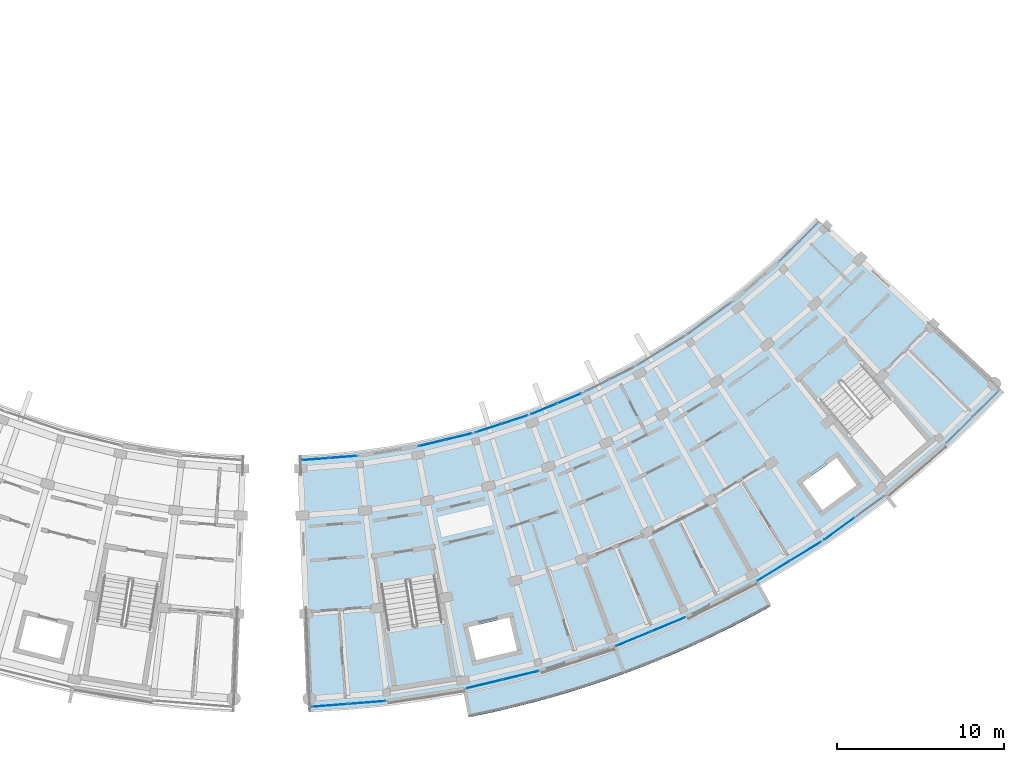
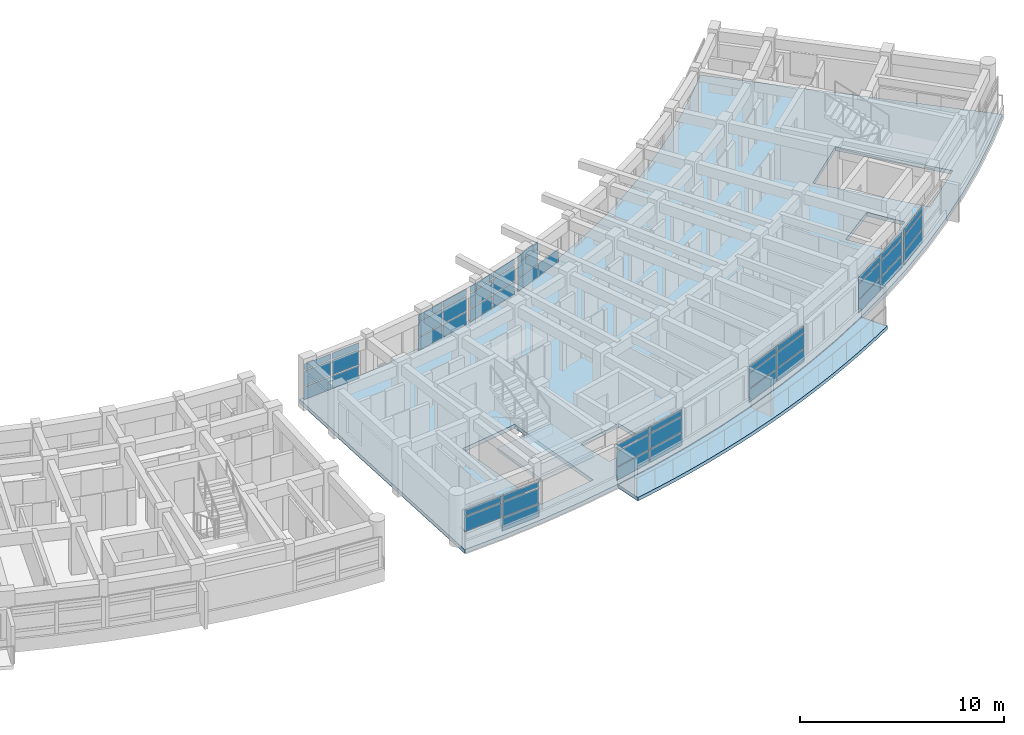
# One storey, part 26 of 55: 48 plates, 3 slabs, 10 elements without a shape of their own.
"""IFC4 building model written with IfcOpenShell, lengths in metres."""

from ifc_helpers import new_model, si_unit, direction, frame, origin, origin_2d, place, context, subcontext, project, spatial, polyline, rectangle, outline, extrude, material, layer, layer_set, type_object, element, aggregate, save


model = new_model("IFC4")

# Units and contexts
model_context = context("Model", 3, precision=1e-05, world=origin(), true_north=direction((0.0, 1.0)))
body_context = subcontext(model_context, "Body", "Model", "MODEL_VIEW")
ifc_project = project(units=[si_unit("LENGTHUNIT", "METRE"), si_unit("AREAUNIT", "SQUARE_METRE"), si_unit("VOLUMEUNIT", "CUBIC_METRE"), si_unit("PLANEANGLEUNIT", "RADIAN"), si_unit("MASSUNIT", "GRAM", prefix="KILO")], contexts=[model_context])

# Site, building, storey
site_placement = place(None, origin())
site = spatial("IfcSite", under=ifc_project, at=site_placement, CompositionType="ELEMENT")
building_placement = place(site_placement, origin())
building = spatial("IfcBuilding", under=site, at=building_placement, Name="Zimvara Arc Housing Community", CompositionType="ELEMENT")
storey_placement = place(building_placement, frame((0.0, 0.0, 14.300048828125)))
storey = spatial("IfcBuildingStorey", under=building, at=storey_placement, Name="L04", CompositionType="ELEMENT", Elevation=14.300048828125)

# Curtain wall, plates
ifc_material_1 = material(Name="Anodised Aluminium AW-6063", Category="aluminium")
curtain_wall_type_1 = type_object("IfcCurtainWallType", Name="CW-SYS-04", PredefinedType="USERDEFINED", material=ifc_material_1)
curtain_wall_1_placement = place(storey_placement, origin())
curtain_wall_1 = element("IfcCurtainWall", 1, at=curtain_wall_1_placement, inside=storey, type_object=curtain_wall_type_1, Name="cw:blkD:L04:in:b2", ObjectType="CURTAIN WALL", PredefinedType="USERDEFINED")
ifc_material_2 = material(Name="Pale-Gold Anodised Aluminium Spandrel Panel", Category="aluminium")
ifc_layer_1 = layer(ifc_material_2, 0.035888671875)
ifc_layer_set_1 = layer_set([ifc_layer_1], Name="Pale-Gold Anodised Aluminium Spandrel Panel")
plate_type_1 = type_object("IfcPlateType", Name="CWP-GLD-36", PredefinedType="CURTAIN_PANEL", material=ifc_layer_set_1)
plate_1_placement = place(storey_placement, frame((135.543701171875, 66.30419921875, 0.06494140625), z_axis=(0.0, 0.0, 1.0), x_axis=(0.972573441526, 0.232596003485, 0.0)))
plate_1 = element("IfcPlate", 2, at=plate_1_placement, type_object=plate_type_1, Name="CW04 panel 1.1", PredefinedType="CURTAIN_PANEL", context=body_context, shape_type="SweptSolid", body=[
    extrude(rectangle(XDim=1.59423828125, YDim=0.035888671875, at=origin_2d()), origin(), (0.0, 0.0, 1.0), 0.75244140625),
])
plate_2_placement = place(storey_placement, frame((135.543701171875, 66.30419921875, 0.88232421875), z_axis=(0.0, 0.0, 1.0), x_axis=(0.972573441526, 0.232596003485, 0.0)))
plate_2 = element("IfcPlate", 3, at=plate_2_placement, type_object=plate_type_1, Name="CW04 panel 1.2", PredefinedType="CURTAIN_PANEL", context=body_context, shape_type="SweptSolid", body=[
    extrude(rectangle(XDim=1.59423828125, YDim=0.035888671875, at=origin_2d()), origin(), (0.0, 0.0, 1.0), 0.885009765625),
])
plate_3_placement = place(storey_placement, frame((135.543701171875, 66.30419921875, 1.83251953125), z_axis=(0.0, 0.0, 1.0), x_axis=(0.972573441526, 0.232596003485, 0.0)))
plate_3 = element("IfcPlate", 4, at=plate_3_placement, type_object=plate_type_1, Name="CW04 panel 1.3", PredefinedType="CURTAIN_PANEL", context=body_context, shape_type="SweptSolid", body=[
    extrude(rectangle(XDim=1.59423828125, YDim=0.035888671875, at=origin_2d()), origin(), (0.0, 0.0, 1.0), 0.3525390625),
])
plate_4_placement = place(storey_placement, frame((137.1572265625, 66.690185546875, 0.06494140625), z_axis=(0.0, 0.0, 1.0), x_axis=(0.972573441526, 0.232596003485, 0.0)))
plate_4 = element("IfcPlate", 5, at=plate_4_placement, type_object=plate_type_1, Name="CW04 panel 2.1", PredefinedType="CURTAIN_PANEL", context=body_context, shape_type="SweptSolid", body=[
    extrude(rectangle(XDim=1.59423828125, YDim=0.035888671875, at=origin_2d()), origin(), (0.0, 0.0, 1.0), 0.75244140625),
])
plate_5_placement = place(storey_placement, frame((137.1572265625, 66.690185546875, 0.88232421875), z_axis=(0.0, 0.0, 1.0), x_axis=(0.972573441526, 0.232596003485, 0.0)))
plate_5 = element("IfcPlate", 6, at=plate_5_placement, type_object=plate_type_1, Name="CW04 panel 2.2", PredefinedType="CURTAIN_PANEL", context=body_context, shape_type="SweptSolid", body=[
    extrude(rectangle(XDim=1.59423828125, YDim=0.035888671875, at=origin_2d()), origin(), (0.0, 0.0, 1.0), 0.885009765625),
])
plate_6_placement = place(storey_placement, frame((137.1572265625, 66.690185546875, 1.83251953125), z_axis=(0.0, 0.0, 1.0), x_axis=(0.972573441526, 0.232596003485, 0.0)))
plate_6 = element("IfcPlate", 7, at=plate_6_placement, type_object=plate_type_1, Name="CW04 panel 2.3", PredefinedType="CURTAIN_PANEL", context=body_context, shape_type="SweptSolid", body=[
    extrude(rectangle(XDim=1.59423828125, YDim=0.035888671875, at=origin_2d()), origin(), (0.0, 0.0, 1.0), 0.3525390625),
])
aggregate(curtain_wall_1, [plate_1, plate_2, plate_3, plate_4, plate_5, plate_6])

ifc_material_3 = material(Name="Anodised Aluminium AW-6063", Category="aluminium")
curtain_wall_type_2 = type_object("IfcCurtainWallType", Name="CW-SYS-01", PredefinedType="USERDEFINED", material=ifc_material_3)
curtain_wall_2_placement = place(storey_placement, origin())
curtain_wall_2 = element("IfcCurtainWall", 8, at=curtain_wall_2_placement, inside=storey, type_object=curtain_wall_type_2, Name="cw:blkD:L04:out:b0", ObjectType="CURTAIN WALL", PredefinedType="USERDEFINED")
ifc_material_4 = material(Name="Solar Control Low-E Double Glazing", Category="glass")
ifc_layer_2 = layer(ifc_material_4, 0.02392578125)
ifc_layer_set_2 = layer_set([ifc_layer_2], Name="Solar Control Low-E Double Glazing")
plate_type_2 = type_object("IfcPlateType", Name="CWP-GLZ-24", PredefinedType="CURTAIN_PANEL", material=ifc_layer_set_2)
plate_7_placement = place(storey_placement, frame((129.4677734375, 50.61767578125, 0.88232421875), z_axis=(0.0, 0.0, 1.0), x_axis=(0.996985387849, 0.077589538059, 0.0)))
plate_7 = element("IfcPlate", 9, at=plate_7_placement, type_object=plate_type_2, Name="CW01 panel 1.2", PredefinedType="CURTAIN_PANEL", context=body_context, shape_type="SweptSolid", body=[
    extrude(rectangle(XDim=2.173828125, YDim=0.02392578125, at=origin_2d()), origin(), (0.0, 0.0, 1.0), 0.885009765625),
])
plate_8_placement = place(storey_placement, frame((129.4677734375, 50.61767578125, 1.83251953125), z_axis=(0.0, 0.0, 1.0), x_axis=(0.996985387849, 0.077589538059, 0.0)))
plate_8 = element("IfcPlate", 10, at=plate_8_placement, type_object=plate_type_2, Name="CW01 panel 1.3", PredefinedType="CURTAIN_PANEL", context=body_context, shape_type="SweptSolid", body=[
    extrude(rectangle(XDim=2.173828125, YDim=0.02392578125, at=origin_2d()), origin(), (0.0, 0.0, 1.0), 0.3525390625),
])
plate_9_placement = place(storey_placement, frame((131.69970703125, 50.79150390625, 0.06494140625), z_axis=(0.0, 0.0, 1.0), x_axis=(0.996985387849, 0.077589538059, 0.0)))
plate_9 = element("IfcPlate", 11, at=plate_9_placement, type_object=plate_type_2, Name="CW01 panel 2.1", PredefinedType="CURTAIN_PANEL", context=body_context, shape_type="SweptSolid", body=[
    extrude(rectangle(XDim=2.173828125, YDim=0.02392578125, at=origin_2d()), origin(), (0.0, 0.0, 1.0), 0.75244140625),
])
plate_10_placement = place(storey_placement, frame((131.69970703125, 50.79150390625, 0.88232421875), z_axis=(0.0, 0.0, 1.0), x_axis=(0.996985387849, 0.077589538059, 0.0)))
plate_10 = element("IfcPlate", 12, at=plate_10_placement, type_object=plate_type_2, Name="CW01 panel 2.2", PredefinedType="CURTAIN_PANEL", context=body_context, shape_type="SweptSolid", body=[
    extrude(rectangle(XDim=2.173828125, YDim=0.02392578125, at=origin_2d()), origin(), (0.0, 0.0, 1.0), 0.885009765625),
])
plate_11_placement = place(storey_placement, frame((131.69970703125, 50.79150390625, 1.83251953125), z_axis=(0.0, 0.0, 1.0), x_axis=(0.996985387849, 0.077589538059, 0.0)))
plate_11 = element("IfcPlate", 13, at=plate_11_placement, type_object=plate_type_2, Name="CW01 panel 2.3", PredefinedType="CURTAIN_PANEL", context=body_context, shape_type="SweptSolid", body=[
    extrude(rectangle(XDim=2.173828125, YDim=0.02392578125, at=origin_2d()), origin(), (0.0, 0.0, 1.0), 0.3525390625),
])
aggregate(curtain_wall_2, [plate_7, plate_8, plate_9, plate_10, plate_11])

ifc_material_5 = material(Name="Anodised Aluminium AW-6063", Category="aluminium")
curtain_wall_type_3 = type_object("IfcCurtainWallType", Name="CW-SYS-05", PredefinedType="USERDEFINED", material=ifc_material_5)
curtain_wall_3_placement = place(storey_placement, origin())
curtain_wall_3 = element("IfcCurtainWall", 14, at=curtain_wall_3_placement, inside=storey, type_object=curtain_wall_type_3, Name="cw:blkD:L04:in:b3", ObjectType="CURTAIN WALL", PredefinedType="USERDEFINED")
plate_12_placement = place(storey_placement, frame((138.931396484375, 67.18896484375, 0.06494140625), z_axis=(0.0, 0.0, 1.0), x_axis=(0.951326373008, 0.308185223559, 0.0)))
plate_12 = element("IfcPlate", 15, at=plate_12_placement, type_object=plate_type_2, Name="CW05 panel 1.1", PredefinedType="CURTAIN_PANEL", context=body_context, shape_type="SweptSolid", body=[
    extrude(rectangle(XDim=1.59423828125, YDim=0.02392578125, at=origin_2d()), origin(), (0.0, 0.0, 1.0), 0.75244140625),
])
plate_13_placement = place(storey_placement, frame((138.931396484375, 67.18896484375, 0.88232421875), z_axis=(0.0, 0.0, 1.0), x_axis=(0.951326373008, 0.308185223559, 0.0)))
plate_13 = element("IfcPlate", 16, at=plate_13_placement, type_object=plate_type_2, Name="CW05 panel 1.2", PredefinedType="CURTAIN_PANEL", context=body_context, shape_type="SweptSolid", body=[
    extrude(rectangle(XDim=1.59423828125, YDim=0.02392578125, at=origin_2d()), origin(), (0.0, 0.0, 1.0), 0.885009765625),
])
plate_14_placement = place(storey_placement, frame((138.931396484375, 67.18896484375, 1.83251953125), z_axis=(0.0, 0.0, 1.0), x_axis=(0.951326373008, 0.308185223559, 0.0)))
plate_14 = element("IfcPlate", 17, at=plate_14_placement, type_object=plate_type_2, Name="CW05 panel 1.3", PredefinedType="CURTAIN_PANEL", context=body_context, shape_type="SweptSolid", body=[
    extrude(rectangle(XDim=1.59423828125, YDim=0.02392578125, at=origin_2d()), origin(), (0.0, 0.0, 1.0), 0.3525390625),
])
plate_15_placement = place(storey_placement, frame((140.510009765625, 67.7001953125, 0.06494140625), z_axis=(0.0, 0.0, 1.0), x_axis=(0.951326373008, 0.308185223559, 0.0)))
plate_15 = element("IfcPlate", 18, at=plate_15_placement, type_object=plate_type_2, Name="CW05 panel 2.1", PredefinedType="CURTAIN_PANEL", context=body_context, shape_type="SweptSolid", body=[
    extrude(rectangle(XDim=1.59423828125, YDim=0.02392578125, at=origin_2d()), origin(), (0.0, 0.0, 1.0), 0.75244140625),
])
plate_16_placement = place(storey_placement, frame((140.510009765625, 67.7001953125, 0.88232421875), z_axis=(0.0, 0.0, 1.0), x_axis=(0.951326373008, 0.308185223559, 0.0)))
plate_16 = element("IfcPlate", 19, at=plate_16_placement, type_object=plate_type_2, Name="CW05 panel 2.2", PredefinedType="CURTAIN_PANEL", context=body_context, shape_type="SweptSolid", body=[
    extrude(rectangle(XDim=1.59423828125, YDim=0.02392578125, at=origin_2d()), origin(), (0.0, 0.0, 1.0), 0.885009765625),
])
plate_17_placement = place(storey_placement, frame((140.510009765625, 67.7001953125, 1.83251953125), z_axis=(0.0, 0.0, 1.0), x_axis=(0.951326373008, 0.308185223559, 0.0)))
plate_17 = element("IfcPlate", 20, at=plate_17_placement, type_object=plate_type_2, Name="CW05 panel 2.3", PredefinedType="CURTAIN_PANEL", context=body_context, shape_type="SweptSolid", body=[
    extrude(rectangle(XDim=1.59423828125, YDim=0.02392578125, at=origin_2d()), origin(), (0.0, 0.0, 1.0), 0.3525390625),
])
aggregate(curtain_wall_3, [plate_12, plate_13, plate_14, plate_15, plate_16, plate_17])

curtain_wall_4_placement = place(storey_placement, origin())
curtain_wall_4 = element("IfcCurtainWall", 21, at=curtain_wall_4_placement, inside=storey, type_object=curtain_wall_type_2, Name="cw:blkD:L04:out:b6", ObjectType="CURTAIN WALL", PredefinedType="USERDEFINED")
plate_18_placement = place(storey_placement, frame((155.98291015625, 58.658203125, 0.06494140625), z_axis=(0.0, 0.0, 1.0), x_axis=(0.853095835272, 0.521754248513, 0.0)))
plate_18 = element("IfcPlate", 22, at=plate_18_placement, type_object=plate_type_2, Name="CW01 panel 1.1", PredefinedType="CURTAIN_PANEL", context=body_context, shape_type="SweptSolid", body=[
    extrude(rectangle(XDim=2.173828125, YDim=0.02392578125, at=origin_2d()), origin(), (0.0, 0.0, 1.0), 0.75244140625),
])
plate_19_placement = place(storey_placement, frame((155.98291015625, 58.658203125, 0.88232421875), z_axis=(0.0, 0.0, 1.0), x_axis=(0.853095835272, 0.521754248513, 0.0)))
plate_19 = element("IfcPlate", 23, at=plate_19_placement, type_object=plate_type_2, Name="CW01 panel 1.2", PredefinedType="CURTAIN_PANEL", context=body_context, shape_type="SweptSolid", body=[
    extrude(rectangle(XDim=2.173828125, YDim=0.02392578125, at=origin_2d()), origin(), (0.0, 0.0, 1.0), 0.885009765625),
])
plate_20_placement = place(storey_placement, frame((155.98291015625, 58.658203125, 1.83251953125), z_axis=(0.0, 0.0, 1.0), x_axis=(0.853095835272, 0.521754248513, 0.0)))
plate_20 = element("IfcPlate", 24, at=plate_20_placement, type_object=plate_type_2, Name="CW01 panel 1.3", PredefinedType="CURTAIN_PANEL", context=body_context, shape_type="SweptSolid", body=[
    extrude(rectangle(XDim=2.173828125, YDim=0.02392578125, at=origin_2d()), origin(), (0.0, 0.0, 1.0), 0.3525390625),
])
plate_21_placement = place(storey_placement, frame((157.892822265625, 59.826171875, 0.06494140625), z_axis=(0.0, 0.0, 1.0), x_axis=(0.853095835272, 0.521754248513, 0.0)))
plate_21 = element("IfcPlate", 25, at=plate_21_placement, type_object=plate_type_2, Name="CW01 panel 2.1", PredefinedType="CURTAIN_PANEL", context=body_context, shape_type="SweptSolid", body=[
    extrude(rectangle(XDim=2.173828125, YDim=0.02392578125, at=origin_2d()), origin(), (0.0, 0.0, 1.0), 0.75244140625),
])
plate_22_placement = place(storey_placement, frame((157.892822265625, 59.826171875, 0.88232421875), z_axis=(0.0, 0.0, 1.0), x_axis=(0.853095835272, 0.521754248513, 0.0)))
plate_22 = element("IfcPlate", 26, at=plate_22_placement, type_object=plate_type_2, Name="CW01 panel 2.2", PredefinedType="CURTAIN_PANEL", context=body_context, shape_type="SweptSolid", body=[
    extrude(rectangle(XDim=2.173828125, YDim=0.02392578125, at=origin_2d()), origin(), (0.0, 0.0, 1.0), 0.885009765625),
])
plate_23_placement = place(storey_placement, frame((157.892822265625, 59.826171875, 1.83251953125), z_axis=(0.0, 0.0, 1.0), x_axis=(0.853095835272, 0.521754248513, 0.0)))
plate_23 = element("IfcPlate", 27, at=plate_23_placement, type_object=plate_type_2, Name="CW01 panel 2.3", PredefinedType="CURTAIN_PANEL", context=body_context, shape_type="SweptSolid", body=[
    extrude(rectangle(XDim=2.173828125, YDim=0.02392578125, at=origin_2d()), origin(), (0.0, 0.0, 1.0), 0.3525390625),
])
aggregate(curtain_wall_4, [plate_18, plate_19, plate_20, plate_21, plate_22, plate_23])

ifc_material_6 = material(Name="Anodised Aluminium AW-6063", Category="aluminium")
curtain_wall_type_4 = type_object("IfcCurtainWallType", Name="CW-SYS-02", PredefinedType="USERDEFINED", material=ifc_material_6)
curtain_wall_5_placement = place(storey_placement, origin())
curtain_wall_5 = element("IfcCurtainWall", 28, at=curtain_wall_5_placement, inside=storey, type_object=curtain_wall_type_4, Name="cw:blkD:L04:in:b0", ObjectType="CURTAIN WALL", PredefinedType="USERDEFINED")
ifc_material_7 = material(Name="Solar Control Low-E Double Glazing", Category="glass")
ifc_layer_3 = layer(ifc_material_7, 0.028076171875)
ifc_layer_set_3 = layer_set([ifc_layer_3], Name="Solar Control Low-E Double Glazing")
plate_type_3 = type_object("IfcPlateType", Name="CWP-GLZ-28", PredefinedType="CURTAIN_PANEL", material=ifc_layer_set_3)
plate_24_placement = place(storey_placement, frame((128.6123046875, 65.344482421875, 0.06494140625), z_axis=(0.0, 0.0, 1.0), x_axis=(0.996985344149, 0.077590099579, 0.0)))
plate_24 = element("IfcPlate", 29, at=plate_24_placement, type_object=plate_type_3, Name="CW02 panel 1.1", PredefinedType="CURTAIN_PANEL", context=body_context, shape_type="SweptSolid", body=[
    extrude(rectangle(XDim=1.59423828125, YDim=0.028076171875, at=origin_2d()), origin(), (0.0, 0.0, 1.0), 0.75244140625),
])
plate_25_placement = place(storey_placement, frame((128.6123046875, 65.344482421875, 0.88232421875), z_axis=(0.0, 0.0, 1.0), x_axis=(0.996985344149, 0.077590099579, 0.0)))
plate_25 = element("IfcPlate", 30, at=plate_25_placement, type_object=plate_type_3, Name="CW02 panel 1.2", PredefinedType="CURTAIN_PANEL", context=body_context, shape_type="SweptSolid", body=[
    extrude(rectangle(XDim=1.59423828125, YDim=0.028076171875, at=origin_2d()), origin(), (0.0, 0.0, 1.0), 0.885009765625),
])
plate_26_placement = place(storey_placement, frame((128.6123046875, 65.344482421875, 1.83251953125), z_axis=(0.0, 0.0, 1.0), x_axis=(0.996985344149, 0.077590099579, 0.0)))
plate_26 = element("IfcPlate", 31, at=plate_26_placement, type_object=plate_type_3, Name="CW02 panel 1.3", PredefinedType="CURTAIN_PANEL", context=body_context, shape_type="SweptSolid", body=[
    extrude(rectangle(XDim=1.59423828125, YDim=0.028076171875, at=origin_2d()), origin(), (0.0, 0.0, 1.0), 0.3525390625),
])
plate_27_placement = place(storey_placement, frame((130.2666015625, 65.47314453125, 0.06494140625), z_axis=(0.0, 0.0, 1.0), x_axis=(0.996985344149, 0.077590099579, 0.0)))
plate_27 = element("IfcPlate", 32, at=plate_27_placement, type_object=plate_type_3, Name="CW02 panel 2.1", PredefinedType="CURTAIN_PANEL", context=body_context, shape_type="SweptSolid", body=[
    extrude(rectangle(XDim=1.59423828125, YDim=0.028076171875, at=origin_2d()), origin(), (0.0, 0.0, 1.0), 0.75244140625),
])
plate_28_placement = place(storey_placement, frame((130.2666015625, 65.47314453125, 0.88232421875), z_axis=(0.0, 0.0, 1.0), x_axis=(0.996985344149, 0.077590099579, 0.0)))
plate_28 = element("IfcPlate", 33, at=plate_28_placement, type_object=plate_type_3, Name="CW02 panel 2.2", PredefinedType="CURTAIN_PANEL", context=body_context, shape_type="SweptSolid", body=[
    extrude(rectangle(XDim=1.59423828125, YDim=0.028076171875, at=origin_2d()), origin(), (0.0, 0.0, 1.0), 0.885009765625),
])
plate_29_placement = place(storey_placement, frame((130.2666015625, 65.47314453125, 1.83251953125), z_axis=(0.0, 0.0, 1.0), x_axis=(0.996985344149, 0.077590099579, 0.0)))
plate_29 = element("IfcPlate", 34, at=plate_29_placement, type_object=plate_type_3, Name="CW02 panel 2.3", PredefinedType="CURTAIN_PANEL", context=body_context, shape_type="SweptSolid", body=[
    extrude(rectangle(XDim=1.59423828125, YDim=0.028076171875, at=origin_2d()), origin(), (0.0, 0.0, 1.0), 0.3525390625),
])
aggregate(curtain_wall_5, [plate_24, plate_25, plate_26, plate_27, plate_28, plate_29])

ifc_material_8 = material(Name="Anodised Aluminium AW-6063", Category="aluminium")
curtain_wall_type_5 = type_object("IfcCurtainWallType", Name="CW-SYS-06", PredefinedType="USERDEFINED", material=ifc_material_8)
curtain_wall_6_placement = place(storey_placement, origin())
curtain_wall_6 = element("IfcCurtainWall", 35, at=curtain_wall_6_placement, inside=storey, type_object=curtain_wall_type_5, Name="cw:blkD:L04:out:b4", ObjectType="CURTAIN WALL", PredefinedType="USERDEFINED")
plate_30_placement = place(storey_placement, frame((147.603759765625, 54.594970703125, 0.06494140625), z_axis=(0.0, 0.0, 1.0), x_axis=(0.924213377749, 0.38187646221, 0.0)))
plate_30 = element("IfcPlate", 36, at=plate_30_placement, type_object=plate_type_3, Name="CW06 panel 1.1", PredefinedType="CURTAIN_PANEL", context=body_context, shape_type="SweptSolid", body=[
    extrude(rectangle(XDim=2.173828125, YDim=0.028076171875, at=origin_2d()), origin(), (0.0, 0.0, 1.0), 0.75244140625),
])
plate_31_placement = place(storey_placement, frame((147.603759765625, 54.594970703125, 0.88232421875), z_axis=(0.0, 0.0, 1.0), x_axis=(0.924213377749, 0.38187646221, 0.0)))
plate_31 = element("IfcPlate", 37, at=plate_31_placement, type_object=plate_type_3, Name="CW06 panel 1.2", PredefinedType="CURTAIN_PANEL", context=body_context, shape_type="SweptSolid", body=[
    extrude(rectangle(XDim=2.173828125, YDim=0.028076171875, at=origin_2d()), origin(), (0.0, 0.0, 1.0), 0.885009765625),
])
plate_32_placement = place(storey_placement, frame((147.603759765625, 54.594970703125, 1.83251953125), z_axis=(0.0, 0.0, 1.0), x_axis=(0.924213377749, 0.38187646221, 0.0)))
plate_32 = element("IfcPlate", 38, at=plate_32_placement, type_object=plate_type_3, Name="CW06 panel 1.3", PredefinedType="CURTAIN_PANEL", context=body_context, shape_type="SweptSolid", body=[
    extrude(rectangle(XDim=2.173828125, YDim=0.028076171875, at=origin_2d()), origin(), (0.0, 0.0, 1.0), 0.3525390625),
])
plate_33_placement = place(storey_placement, frame((149.6728515625, 55.449951171875, 0.06494140625), z_axis=(0.0, 0.0, 1.0), x_axis=(0.924213377749, 0.38187646221, 0.0)))
plate_33 = element("IfcPlate", 39, at=plate_33_placement, type_object=plate_type_3, Name="CW06 panel 2.1", PredefinedType="CURTAIN_PANEL", context=body_context, shape_type="SweptSolid", body=[
    extrude(rectangle(XDim=2.173828125, YDim=0.028076171875, at=origin_2d()), origin(), (0.0, 0.0, 1.0), 0.75244140625),
])
plate_34_placement = place(storey_placement, frame((149.6728515625, 55.449951171875, 0.88232421875), z_axis=(0.0, 0.0, 1.0), x_axis=(0.924213377749, 0.38187646221, 0.0)))
plate_34 = element("IfcPlate", 40, at=plate_34_placement, type_object=plate_type_3, Name="CW06 panel 2.2", PredefinedType="CURTAIN_PANEL", context=body_context, shape_type="SweptSolid", body=[
    extrude(rectangle(XDim=2.173828125, YDim=0.028076171875, at=origin_2d()), origin(), (0.0, 0.0, 1.0), 0.885009765625),
])
plate_35_placement = place(storey_placement, frame((149.6728515625, 55.449951171875, 1.83251953125), z_axis=(0.0, 0.0, 1.0), x_axis=(0.924213377749, 0.38187646221, 0.0)))
plate_35 = element("IfcPlate", 41, at=plate_35_placement, type_object=plate_type_3, Name="CW06 panel 2.3", PredefinedType="CURTAIN_PANEL", context=body_context, shape_type="SweptSolid", body=[
    extrude(rectangle(XDim=2.173828125, YDim=0.028076171875, at=origin_2d()), origin(), (0.0, 0.0, 1.0), 0.3525390625),
])
aggregate(curtain_wall_6, [plate_30, plate_31, plate_32, plate_33, plate_34, plate_35])

ifc_material_9 = material(Name="Anodised Aluminium AW-6063", Category="aluminium")
curtain_wall_type_6 = type_object("IfcCurtainWallType", Name="CW-SYS-03", PredefinedType="USERDEFINED", material=ifc_material_9)
curtain_wall_7_placement = place(storey_placement, origin())
curtain_wall_7 = element("IfcCurtainWall", 42, at=curtain_wall_7_placement, inside=storey, type_object=curtain_wall_type_6, Name="cw:blkD:L04:out:b2", ObjectType="CURTAIN WALL", PredefinedType="USERDEFINED")
ifc_material_10 = material(Name="Acoustic Laminated Solar Glazing", Category="glass")
ifc_layer_4 = layer(ifc_material_10, 0.031982421875)
ifc_layer_set_4 = layer_set([ifc_layer_4], Name="Acoustic Laminated Solar Glazing")
plate_type_4 = type_object("IfcPlateType", Name="CWP-GLZ-32", PredefinedType="CURTAIN_PANEL", material=ifc_layer_set_4)
plate_36_placement = place(storey_placement, frame((138.6923828125, 51.892822265625, 0.06494140625), z_axis=(0.0, 0.0, 1.0), x_axis=(0.97257325149, 0.232596798101, 0.0)))
plate_36 = element("IfcPlate", 43, at=plate_36_placement, type_object=plate_type_4, Name="CW03 panel 1.1", PredefinedType="CURTAIN_PANEL", context=body_context, shape_type="SweptSolid", body=[
    extrude(rectangle(XDim=2.173828125, YDim=0.031982421875, at=origin_2d()), origin(), (0.0, 0.0, 1.0), 0.75244140625),
])
plate_37_placement = place(storey_placement, frame((138.6923828125, 51.892822265625, 0.88232421875), z_axis=(0.0, 0.0, 1.0), x_axis=(0.97257325149, 0.232596798101, 0.0)))
plate_37 = element("IfcPlate", 44, at=plate_37_placement, type_object=plate_type_4, Name="CW03 panel 1.2", PredefinedType="CURTAIN_PANEL", context=body_context, shape_type="SweptSolid", body=[
    extrude(rectangle(XDim=2.173828125, YDim=0.031982421875, at=origin_2d()), origin(), (0.0, 0.0, 1.0), 0.885009765625),
])
plate_38_placement = place(storey_placement, frame((138.6923828125, 51.892822265625, 1.83251953125), z_axis=(0.0, 0.0, 1.0), x_axis=(0.97257325149, 0.232596798101, 0.0)))
plate_38 = element("IfcPlate", 45, at=plate_38_placement, type_object=plate_type_4, Name="CW03 panel 1.3", PredefinedType="CURTAIN_PANEL", context=body_context, shape_type="SweptSolid", body=[
    extrude(rectangle(XDim=2.173828125, YDim=0.031982421875, at=origin_2d()), origin(), (0.0, 0.0, 1.0), 0.3525390625),
])
plate_39_placement = place(storey_placement, frame((140.86962890625, 52.41357421875, 0.06494140625), z_axis=(0.0, 0.0, 1.0), x_axis=(0.97257325149, 0.232596798101, 0.0)))
plate_39 = element("IfcPlate", 46, at=plate_39_placement, type_object=plate_type_4, Name="CW03 panel 2.1", PredefinedType="CURTAIN_PANEL", context=body_context, shape_type="SweptSolid", body=[
    extrude(rectangle(XDim=2.173828125, YDim=0.031982421875, at=origin_2d()), origin(), (0.0, 0.0, 1.0), 0.75244140625),
])
plate_40_placement = place(storey_placement, frame((140.86962890625, 52.41357421875, 0.88232421875), z_axis=(0.0, 0.0, 1.0), x_axis=(0.97257325149, 0.232596798101, 0.0)))
plate_40 = element("IfcPlate", 47, at=plate_40_placement, type_object=plate_type_4, Name="CW03 panel 2.2", PredefinedType="CURTAIN_PANEL", context=body_context, shape_type="SweptSolid", body=[
    extrude(rectangle(XDim=2.173828125, YDim=0.031982421875, at=origin_2d()), origin(), (0.0, 0.0, 1.0), 0.885009765625),
])
plate_41_placement = place(storey_placement, frame((140.86962890625, 52.41357421875, 1.83251953125), z_axis=(0.0, 0.0, 1.0), x_axis=(0.97257325149, 0.232596798101, 0.0)))
plate_41 = element("IfcPlate", 48, at=plate_41_placement, type_object=plate_type_4, Name="CW03 panel 2.3", PredefinedType="CURTAIN_PANEL", context=body_context, shape_type="SweptSolid", body=[
    extrude(rectangle(XDim=2.173828125, YDim=0.031982421875, at=origin_2d()), origin(), (0.0, 0.0, 1.0), 0.3525390625),
])
aggregate(curtain_wall_7, [plate_36, plate_37, plate_38, plate_39, plate_40, plate_41])

ifc_material_11 = material(Name="Anodised Aluminium AW-6063", Category="aluminium")
curtain_wall_type_7 = type_object("IfcCurtainWallType", Name="CW-SYS-07", PredefinedType="USERDEFINED", material=ifc_material_11)
curtain_wall_8_placement = place(storey_placement, origin())
curtain_wall_8 = element("IfcCurtainWall", 49, at=curtain_wall_8_placement, inside=storey, type_object=curtain_wall_type_7, Name="cw:blkD:L04:in:b4", ObjectType="CURTAIN WALL", PredefinedType="USERDEFINED")
plate_42_placement = place(storey_placement, frame((142.239501953125, 68.336669921875, 0.06494140625), z_axis=(0.0, 0.0, 1.0), x_axis=(0.924213086235, 0.381877167728, 0.0)))
plate_42 = element("IfcPlate", 50, at=plate_42_placement, type_object=plate_type_4, Name="CW07 panel 1.1", PredefinedType="CURTAIN_PANEL", context=body_context, shape_type="SweptSolid", body=[
    extrude(rectangle(XDim=1.59423828125, YDim=0.031982421875, at=origin_2d()), origin(), (0.0, 0.0, 1.0), 0.75244140625),
])
plate_43_placement = place(storey_placement, frame((142.239501953125, 68.336669921875, 0.88232421875), z_axis=(0.0, 0.0, 1.0), x_axis=(0.924213086235, 0.381877167728, 0.0)))
plate_43 = element("IfcPlate", 51, at=plate_43_placement, type_object=plate_type_4, Name="CW07 panel 1.2", PredefinedType="CURTAIN_PANEL", context=body_context, shape_type="SweptSolid", body=[
    extrude(rectangle(XDim=1.59423828125, YDim=0.031982421875, at=origin_2d()), origin(), (0.0, 0.0, 1.0), 0.885009765625),
])
plate_44_placement = place(storey_placement, frame((142.239501953125, 68.336669921875, 1.83251953125), z_axis=(0.0, 0.0, 1.0), x_axis=(0.924213086235, 0.381877167728, 0.0)))
plate_44 = element("IfcPlate", 52, at=plate_44_placement, type_object=plate_type_4, Name="CW07 panel 1.3", PredefinedType="CURTAIN_PANEL", context=body_context, shape_type="SweptSolid", body=[
    extrude(rectangle(XDim=1.59423828125, YDim=0.031982421875, at=origin_2d()), origin(), (0.0, 0.0, 1.0), 0.3525390625),
])
plate_45_placement = place(storey_placement, frame((143.77294921875, 68.97021484375, 0.06494140625), z_axis=(0.0, 0.0, 1.0), x_axis=(0.924213086235, 0.381877167728, 0.0)))
plate_45 = element("IfcPlate", 53, at=plate_45_placement, type_object=plate_type_4, Name="CW07 panel 2.1", PredefinedType="CURTAIN_PANEL", context=body_context, shape_type="SweptSolid", body=[
    extrude(rectangle(XDim=1.59423828125, YDim=0.031982421875, at=origin_2d()), origin(), (0.0, 0.0, 1.0), 0.75244140625),
])
aggregate(curtain_wall_8, [plate_42, plate_43, plate_44, plate_45])

curtain_wall_9_placement = place(storey_placement, origin())
curtain_wall_9 = element("IfcCurtainWall", 54, at=curtain_wall_9_placement, inside=storey, type_object=curtain_wall_type_6, Name="cw:blkD:L04:out:b7", ObjectType="CURTAIN WALL", PredefinedType="USERDEFINED")
plate_46_placement = place(storey_placement, frame((159.90771484375, 61.169921875, 0.06494140625), z_axis=(0.0, 0.0, 1.0), x_axis=(0.809530431263, 0.587077917196, 0.0)))
plate_46 = element("IfcPlate", 55, at=plate_46_placement, type_object=plate_type_4, Name="CW03 panel 1.1", PredefinedType="CURTAIN_PANEL", context=body_context, shape_type="SweptSolid", body=[
    extrude(rectangle(XDim=2.173828125, YDim=0.031982421875, at=origin_2d()), origin(), (0.0, 0.0, 1.0), 0.75244140625),
])
plate_47_placement = place(storey_placement, frame((159.90771484375, 61.169921875, 0.88232421875), z_axis=(0.0, 0.0, 1.0), x_axis=(0.809530431263, 0.587077917196, 0.0)))
plate_47 = element("IfcPlate", 56, at=plate_47_placement, type_object=plate_type_4, Name="CW03 panel 1.2", PredefinedType="CURTAIN_PANEL", context=body_context, shape_type="SweptSolid", body=[
    extrude(rectangle(XDim=2.173828125, YDim=0.031982421875, at=origin_2d()), origin(), (0.0, 0.0, 1.0), 0.885009765625),
])
plate_48_placement = place(storey_placement, frame((159.90771484375, 61.169921875, 1.83251953125), z_axis=(0.0, 0.0, 1.0), x_axis=(0.809530431263, 0.587077917196, 0.0)))
plate_48 = element("IfcPlate", 57, at=plate_48_placement, type_object=plate_type_4, Name="CW03 panel 1.3", PredefinedType="CURTAIN_PANEL", context=body_context, shape_type="SweptSolid", body=[
    extrude(rectangle(XDim=2.173828125, YDim=0.031982421875, at=origin_2d()), origin(), (0.0, 0.0, 1.0), 0.3525390625),
])
aggregate(curtain_wall_9, [plate_46, plate_47, plate_48])

# Stair, slab
ifc_material_12 = material(Name="Concrete C35/45", Category="concrete")
stair_type = type_object("IfcStairType", Name="STR-DL-310-310", PredefinedType="HALF_TURN_STAIR", material=ifc_material_12)
stair_placement = place(storey_placement, origin())
stair = element("IfcStair", 58, at=stair_placement, inside=storey, type_object=stair_type, Name="L04 Block D Exit Stair 1", PredefinedType="HALF_TURN_STAIR")
ifc_material_13 = material(Name="Concrete C35/45", Category="concrete")
ifc_layer_5 = layer(ifc_material_13, 0.199951171875)
ifc_layer_set_5 = layer_set([ifc_layer_5], Name="Concrete C35/45")
slab_type_1 = type_object("IfcSlabType", Name="SLB-STAIR-LND-200", PredefinedType="LANDING", material=ifc_layer_set_5)
slab_1_placement = place(storey_placement, frame((0.0, 0.0, 1.349853515625)))
slab_1 = element("IfcSlab", 59, at=slab_1_placement, type_object=slab_type_1, Name="ST-D1 landing 1", PredefinedType="LANDING", context=body_context, shape_type="SweptSolid", body=[
    extrude(outline(polyline([(132.900390625, 55.1201171875), (133.427734375, 51.771484375), (136.746826171875, 52.294189453125), (136.219482421875, 55.642822265625), (132.900390625, 55.1201171875)])), origin(), (0.0, 0.0, 1.0), 0.2001953125),
])
aggregate(stair, [slab_1])

# Slabs
ifc_material_14 = material(Name="Concrete C35/45", Category="concrete")
ifc_layer_6 = layer(ifc_material_14, 0.2099609375)
ifc_layer_set_6 = layer_set([ifc_layer_6], Name="Concrete C35/45")
slab_type_2 = type_object("IfcSlabType", Name="SLB-TER-210", PredefinedType="FLOOR", material=ifc_layer_set_6)
slab_2_placement = place(storey_placement, frame((0.0, 0.0, -0.2099609375)))
element("IfcSlab", 60, at=slab_2_placement, inside=storey, type_object=slab_type_2, Name="slab:blkD:L04:bal_out", PredefinedType="FLOOR", context=body_context, shape_type="SweptSolid", body=[
    extrude(outline(polyline([(155.071044921875, 57.8076171875), (155.070556640625, 57.807373046875), (153.005615234375, 56.7060546875), (153.004638671875, 56.705322265625), (150.89794921875, 55.685791015625), (150.89697265625, 55.685302734375), (148.751953125, 54.74951171875), (148.750732421875, 54.7490234375), (146.57080078125, 53.89794921875), (146.569580078125, 53.8974609375), (144.357666015625, 53.132568359375), (144.356689453125, 53.13232421875), (142.116455078125, 52.454833984375), (142.115234375, 52.45458984375), (139.850341796875, 51.865478515625), (139.84912109375, 51.865234375), (137.562744140625, 51.36572265625), (137.562255859375, 51.36572265625), (137.84765625, 49.923583984375), (139.022216796875, 50.168212890625), (140.191650390625, 50.435791015625), (141.355712890625, 50.726318359375), (142.513671875, 51.03955078125), (143.665283203125, 51.37548828125), (144.810302734375, 51.73388671875), (145.94775390625, 52.114990234375), (147.07763671875, 52.51806640625), (148.199462890625, 52.943359375), (149.312744140625, 53.390625), (150.4169921875, 53.859619140625), (151.51171875, 54.35009765625), (152.5966796875, 54.862060546875), (153.67138671875, 55.395263671875), (154.7353515625, 55.949462890625), (155.788330078125, 56.5244140625), (155.071044921875, 57.8076171875)])), origin(), (0.0, 0.0, 1.0), 0.2099609375),
])
ifc_material_15 = material(Name="Concrete C35/45", Category="concrete")
ifc_layer_7 = layer(ifc_material_15, 0.22998046875)
ifc_layer_set_7 = layer_set([ifc_layer_7], Name="Concrete C35/45")
slab_type_3 = type_object("IfcSlabType", Name="SLB-TYP-230", PredefinedType="FLOOR", material=ifc_layer_set_7)
slab_3_placement = place(storey_placement, frame((0.0, 0.0, -0.22998046875)))
element("IfcSlab", 61, at=slab_3_placement, inside=storey, type_object=slab_type_3, Name="slab:blkD:L04:main", PredefinedType="FLOOR", context=body_context, shape_type="SweptSolid", body=[
    extrude(outline(polyline([(128.267822265625, 50.303955078125), (130.604248046875, 50.439697265625), (132.93359375, 50.6669921875), (135.252197265625, 50.985595703125), (137.556396484375, 51.39501953125), (139.8427734375, 51.89453125), (142.10791015625, 52.483642578125), (144.347900390625, 53.160888671875), (146.559814453125, 53.92578125), (148.739990234375, 54.77685546875), (150.884765625, 55.712890625), (152.991455078125, 56.732421875), (155.056396484375, 57.833740234375), (157.07666015625, 59.015380859375), (159.048828125, 60.275634765625), (160.969970703125, 61.612060546875), (162.837158203125, 63.02294921875), (164.6474609375, 64.506103515625), (166.3984375, 66.05908203125), (168.086669921875, 67.6796875), (169.710205078125, 69.365234375), (158.5576171875, 79.69287109375), (157.34814453125, 78.43701171875), (156.09033203125, 77.229736328125), (154.7861328125, 76.07275390625), (153.437255859375, 74.968017578125), (152.04638671875, 73.9169921875), (150.614990234375, 72.921142578125), (149.14599609375, 71.982666015625), (147.640869140625, 71.102294921875), (146.1025390625, 70.28173828125), (144.533203125, 69.522216796875), (142.935302734375, 68.824951171875), (141.311279296875, 68.19091796875), (139.66357421875, 67.62109375), (137.99462890625, 67.116455078125), (136.307373046875, 66.677734375), (134.60400390625, 66.3056640625), (132.887451171875, 66.00048828125), (131.16015625, 65.76318359375), (129.425048828125, 65.59375), (127.684326171875, 65.49267578125), (128.267822265625, 50.303955078125)]), holes=[polyline([(135.751953125, 58.35302734375), (136.700927734375, 52.327392578125), (133.4609375, 51.817138671875), (132.511962890625, 57.8427734375), (135.751953125, 58.35302734375)]), polyline([(161.224365234375, 71.049072265625), (165.181884765625, 66.4072265625), (162.685791015625, 64.279052734375), (158.728271484375, 68.921142578125), (161.224365234375, 71.049072265625)]), polyline([(140.194091796875, 55.8857421875), (140.66845703125, 53.90185546875), (138.1982421875, 53.31103515625), (137.7236328125, 55.294921875), (140.194091796875, 55.8857421875)]), polyline([(159.76708984375, 65.433837890625), (160.96484375, 63.782470703125), (158.908447265625, 62.291259765625), (157.7109375, 63.942626953125), (159.76708984375, 65.433837890625)])]), origin(), (0.0, 0.0, 1.0), 0.22998046875),
])

save(model, "model.ifc")
